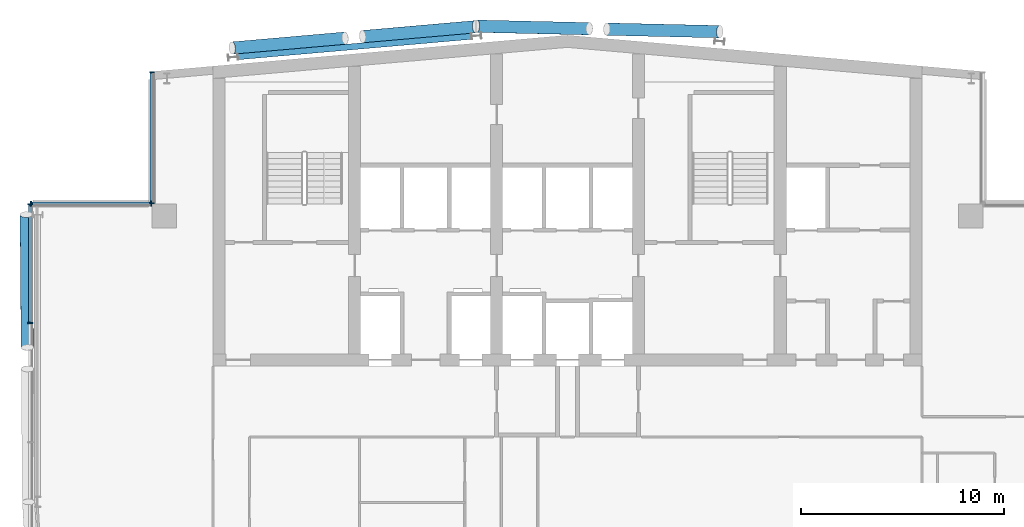
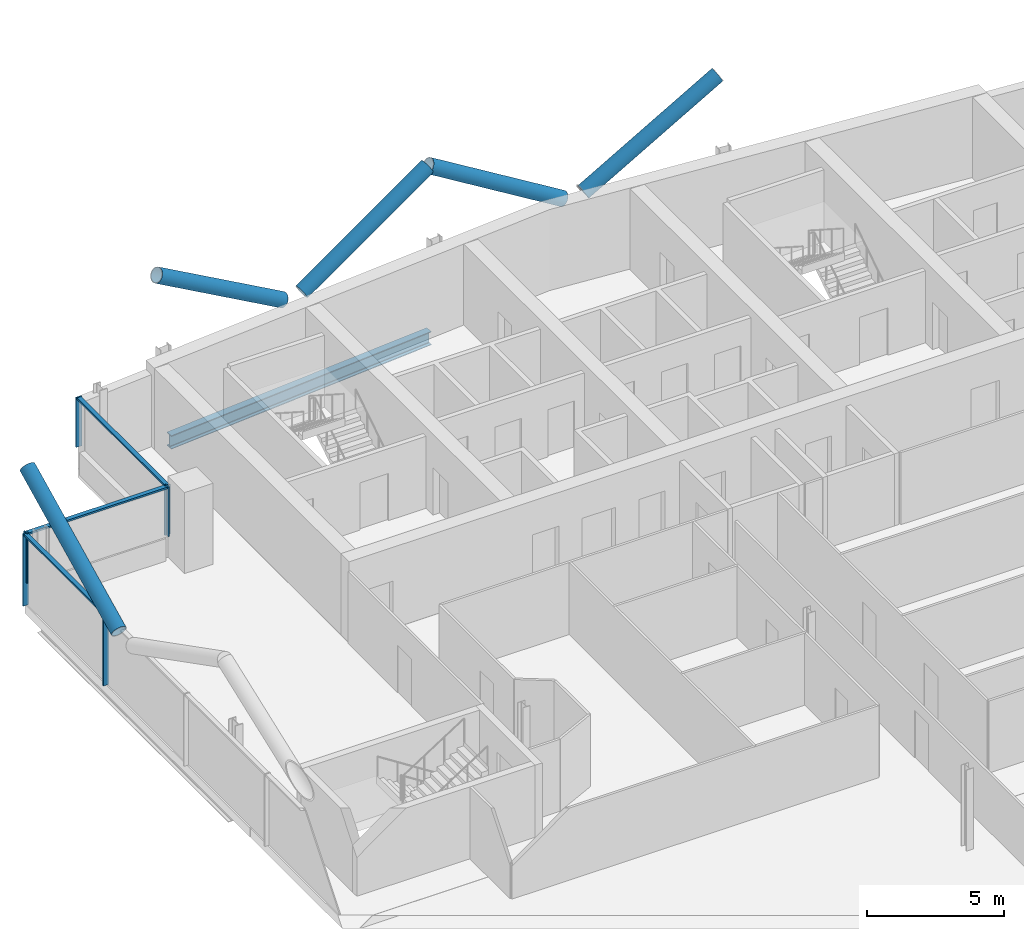
# One storey, part 10 of 27: 14 members, 1 beam, 3 elements without a shape of their own.
"""IFC4 building model written with IfcOpenShell, lengths in metres."""

from ifc_helpers import new_model, si_unit, direction, frame, origin, origin_2d, place, context, subcontext, project, spatial, rectangle, hollow_circle, i_section, extrude, material, material_profile, profile_set, type_object, element, aggregate, save


model = new_model("IFC4")

# Units and contexts
model_context = context("Model", 3, precision=1e-05, world=origin(), true_north=direction((0.0, 1.0)))
body_context = subcontext(model_context, "Body", "Model", "MODEL_VIEW")
ifc_project = project(units=[si_unit("LENGTHUNIT", "METRE"), si_unit("AREAUNIT", "SQUARE_METRE"), si_unit("VOLUMEUNIT", "CUBIC_METRE"), si_unit("PLANEANGLEUNIT", "RADIAN"), si_unit("MASSUNIT", "GRAM", prefix="KILO")], contexts=[model_context])

# Site, building, storey
site_placement = place(None, origin())
site = spatial("IfcSite", under=ifc_project, at=site_placement, CompositionType="ELEMENT")
building_placement = place(site_placement, origin())
building = spatial("IfcBuilding", under=site, at=building_placement, Name="Wharfspan Tower", CompositionType="ELEMENT")
storey_placement = place(building_placement, frame((0.0, 0.0, 221.5)))
storey = spatial("IfcBuildingStorey", under=building, at=storey_placement, Name="L55", CompositionType="ELEMENT", Elevation=221.5)

# Beam
ifc_material_1 = material(Name="Steel S355J2", Category="steel")
ifc_material_profile_1 = material_profile(ifc_material_1, i_section(OverallWidth=0.300049, OverallDepth=0.600098, WebThickness=0.015381, FlangeThickness=0.030029, FilletRadius=0.0271, at=origin_2d()))
ifc_profile_set_1 = profile_set([ifc_material_profile_1], Name="Steel S355J2")
beam_type = type_object("IfcBeamType", Name="Edge beam HEB 600", PredefinedType="SPANDREL", material=ifc_profile_set_1)
beam_placement = place(storey_placement, frame((35.754883, 50.263428, -0.699951), z_axis=(-0.996194, -0.087165, 0.0), x_axis=(0.087165, -0.996194, 0.0)))
element("IfcBeam", 1, at=beam_placement, inside=storey, type_object=beam_type, Name="Edge beam N1 L55 R.2 to R.1", PredefinedType="SPANDREL", context=body_context, shape_type="SweptSolid", body=[
    extrude(i_section(OverallWidth=0.300049, OverallDepth=0.600098, WebThickness=0.015381, FlangeThickness=0.030029, FilletRadius=0.0271, at=origin_2d()), origin(), (0.0, 0.0, 1.0), 11.553711),
])

# Curtain wall, members
ifc_material_2 = material(Name="Aluminium 6063-T6", Category="aluminium")
curtain_wall_type = type_object("IfcCurtainWallType", Name="CURTAIN WALL PROW AND END", PredefinedType="NOTDEFINED", material=ifc_material_2)
curtain_wall_1_placement = place(storey_placement, origin())
curtain_wall_1 = element("IfcCurtainWall", 2, at=curtain_wall_1_placement, inside=storey, type_object=curtain_wall_type, Name="Curtain wall NRW-V", PredefinedType="NOTDEFINED")
ifc_material_profile_2 = material_profile(ifc_material_2, rectangle(XDim=0.23999, YDim=0.060059, at=origin_2d()))
ifc_profile_set_2 = profile_set([ifc_material_profile_2], Name="Aluminium 6063-T6")
member_type_1 = type_object("IfcMemberType", Name="MULLION PROW AND END 60x240", PredefinedType="MULLION", material=ifc_profile_set_2)
member_1_placement = place(storey_placement, frame((20.0, 48.494873, 1.0), z_axis=(0.0, 0.0, 1.0), x_axis=(1.0, 0.0, 0.0)))
member_1 = element("IfcMember", 3, at=member_1_placement, type_object=member_type_1, Name="Curtain wall NRW-V mullion 1", PredefinedType="MULLION", context=body_context, shape_type="SweptSolid", body=[
    extrude(rectangle(XDim=0.23999, YDim=0.060059, at=origin_2d()), origin(), (0.0, 0.0, 1.0), 2.199951),
])
member_2_placement = place(storey_placement, frame((20.0, 42.030029, 1.0), z_axis=(0.0, 0.0, 1.0), x_axis=(1.0, 0.0, 0.0)))
member_2 = element("IfcMember", 4, at=member_2_placement, type_object=member_type_1, Name="Curtain wall NRW-V mullion 2", PredefinedType="MULLION", context=body_context, shape_type="SweptSolid", body=[
    extrude(rectangle(XDim=0.23999, YDim=0.060059, at=origin_2d()), origin(), (0.0, 0.0, 1.0), 2.199951),
])

curtain_wall_2_placement = place(storey_placement, origin())
curtain_wall_2 = element("IfcCurtainWall", 5, at=curtain_wall_2_placement, inside=storey, type_object=curtain_wall_type, Name="Curtain wall NRW-H", PredefinedType="NOTDEFINED")
member_3_placement = place(storey_placement, frame((19.969971, 42.0, 1.0), z_axis=(0.0, 0.0, 1.0), x_axis=(0.0, -1.0, 0.0)))
member_3 = element("IfcMember", 6, at=member_3_placement, type_object=member_type_1, Name="Curtain wall NRW-H mullion 1", PredefinedType="MULLION", context=body_context, shape_type="SweptSolid", body=[
    extrude(rectangle(XDim=0.23999, YDim=0.060059, at=origin_2d()), origin(), (0.0, 0.0, 1.0), 2.199951),
])
member_4_placement = place(storey_placement, frame((14.030029, 42.0, 1.0), z_axis=(0.0, 0.0, 1.0), x_axis=(0.0, -1.0, 0.0)))
member_4 = element("IfcMember", 7, at=member_4_placement, type_object=member_type_1, Name="Curtain wall NRW-H mullion 2", PredefinedType="MULLION", context=body_context, shape_type="SweptSolid", body=[
    extrude(rectangle(XDim=0.23999, YDim=0.060059, at=origin_2d()), origin(), (0.0, 0.0, 1.0), 2.199951),
])

curtain_wall_3_placement = place(storey_placement, origin())
curtain_wall_3 = element("IfcCurtainWall", 8, at=curtain_wall_3_placement, inside=storey, type_object=curtain_wall_type, Name="Curtain wall W", PredefinedType="NOTDEFINED")
member_5_placement = place(storey_placement, frame((14.0, 41.969971, 0.0), z_axis=(0.0, 0.0, 1.0), x_axis=(1.0, 0.0, 0.0)))
member_5 = element("IfcMember", 9, at=member_5_placement, type_object=member_type_1, Name="Curtain wall W mullion 1", PredefinedType="MULLION", context=body_context, shape_type="SweptSolid", body=[
    extrude(rectangle(XDim=0.23999, YDim=0.060059, at=origin_2d()), origin(), (0.0, 0.0, 1.0), 3.199951),
])
member_6_placement = place(storey_placement, frame((14.0, 36.120117, 0.0), z_axis=(0.0, 0.0, 1.0), x_axis=(1.0, 0.0, 0.0)))
member_6 = element("IfcMember", 10, at=member_6_placement, type_object=member_type_1, Name="Curtain wall W mullion 2", PredefinedType="MULLION", context=body_context, shape_type="SweptSolid", body=[
    extrude(rectangle(XDim=0.23999, YDim=0.060059, at=origin_2d()), origin(), (0.0, 0.0, 1.0), 3.199951),
])

# Members
ifc_material_3 = material(Name="Steel S460NH", Category="steel")
ifc_material_profile_3 = material_profile(ifc_material_3, hollow_circle(Radius=0.304932, WallThickness=0.024902, at=origin_2d()))
ifc_profile_set_3 = profile_set([ifc_material_profile_3], Name="Steel S460NH")
member_type_2 = type_object("IfcMemberType", Name="Mega brace CHS 610x25", PredefinedType="BRACE", material=ifc_profile_set_3)
member_7_placement = place(storey_placement, frame((13.844727, 34.910645, 3.169922), z_axis=(-0.007044, 0.891361, 0.45324), x_axis=(-0.999973, -0.007904, 3e-06)))
element("IfcMember", 11, at=member_7_placement, inside=storey, type_object=member_type_2, Name="Mega brace W3 L55 part 4", PredefinedType="BRACE", context=body_context, shape_type="SweptSolid", body=[
    extrude(hollow_circle(Radius=0.304932, WallThickness=0.024902, at=origin_2d()), origin(), (0.0, 0.0, 1.0), 7.347168),
])
member_8_placement = place(storey_placement, frame((30.393555, 50.248047, 3.159912), z_axis=(0.855103, 0.074812, 0.513032), x_axis=(-0.087157, 0.996193, 2e-06)))
element("IfcMember", 12, at=member_8_placement, inside=storey, type_object=member_type_2, Name="Mega brace N7 L55 part 2", PredefinedType="BRACE", context=body_context, shape_type="SweptSolid", body=[
    extrude(hollow_circle(Radius=0.304932, WallThickness=0.024902, at=origin_2d()), origin(), (0.0, 0.0, 1.0), 6.510498),
])
member_9_placement = place(storey_placement, frame((29.527588, 50.172119, 3.159912), z_axis=(-0.855093, -0.074814, 0.513048), x_axis=(0.087159, -0.996198, -1e-06)))
element("IfcMember", 13, at=member_9_placement, inside=storey, type_object=member_type_2, Name="Mega brace N7 L55 part 4", PredefinedType="BRACE", context=body_context, shape_type="SweptSolid", body=[
    extrude(hollow_circle(Radius=0.304932, WallThickness=0.024902, at=origin_2d()), origin(), (0.0, 0.0, 1.0), 6.510254),
])
for number, where, z_axis, x_axis, name in (
    (14, (42.442871, 50.616699, 3.159668), (0.857337, -0.019475, 0.514387), (0.022711, 0.999741, -2e-06), "Mega brace N8 L55 part 2"),
    (15, (41.577881, 50.636475, 3.159668), (-0.857337, 0.019475, 0.514387), (-0.022711, -0.999741, -2e-06), "Mega brace N8 L55 part 4"),
):
    element("IfcMember", number, at=place(storey_placement, frame(where, z_axis=z_axis, x_axis=x_axis)), inside=storey, type_object=member_type_2, Name=name, PredefinedType="BRACE", context=body_context, shape_type="SweptSolid", body=[
        extrude(hollow_circle(Radius=0.304932, WallThickness=0.024902, at=origin_2d()), origin(), (0.0, 0.0, 1.0), 6.493896),
    ])

# Member
ifc_material_profile_4 = material_profile(ifc_material_2, rectangle(XDim=0.179932, YDim=0.080078, at=origin_2d()))
ifc_profile_set_4 = profile_set([ifc_material_profile_4], Name="Aluminium 6063-T6")
member_type_3 = type_object("IfcMemberType", Name="TRANSOM PROW AND END 80x180", PredefinedType="USERDEFINED", material=ifc_profile_set_4)
member_10_placement = place(storey_placement, frame((20.0, 48.464844, 3.159912), z_axis=(0.0, -1.0, 0.0), x_axis=(1.0, 0.0, 0.0)))
member_10 = element("IfcMember", 16, at=member_10_placement, type_object=member_type_3, Name="Curtain wall NRW-V transom 1", ObjectType="TRANSOM", PredefinedType="USERDEFINED", context=body_context, shape_type="SweptSolid", body=[
    extrude(rectangle(XDim=0.179932, YDim=0.080078, at=origin_2d()), origin(), (0.0, 0.0, 1.0), 6.404785),
])

aggregate(curtain_wall_1, [member_1, member_2, member_10])

member_11_placement = place(storey_placement, frame((19.939941, 42.0, 3.159912), z_axis=(-1.0, 0.0, 0.0), x_axis=(0.0, -1.0, 0.0)))
member_11 = element("IfcMember", 17, at=member_11_placement, type_object=member_type_3, Name="Curtain wall NRW-H transom 1", ObjectType="TRANSOM", PredefinedType="USERDEFINED", context=body_context, shape_type="SweptSolid", body=[
    extrude(rectangle(XDim=0.179932, YDim=0.080078, at=origin_2d()), origin(), (0.0, 0.0, 1.0), 5.879883),
])

aggregate(curtain_wall_2, [member_3, member_4, member_11])

member_12_placement = place(storey_placement, frame((14.0, 41.939941, 3.159912), z_axis=(0.0, -1.0, 0.0), x_axis=(1.0, 0.0, 0.0)))
member_12 = element("IfcMember", 18, at=member_12_placement, type_object=member_type_3, Name="Curtain wall W transom 1", ObjectType="TRANSOM", PredefinedType="USERDEFINED", context=body_context, shape_type="SweptSolid", body=[
    extrude(rectangle(XDim=0.179932, YDim=0.080078, at=origin_2d()), origin(), (0.0, 0.0, 1.0), 5.790039),
])

aggregate(curtain_wall_3, [member_5, member_6, member_12])

save(model, "model.ifc")
